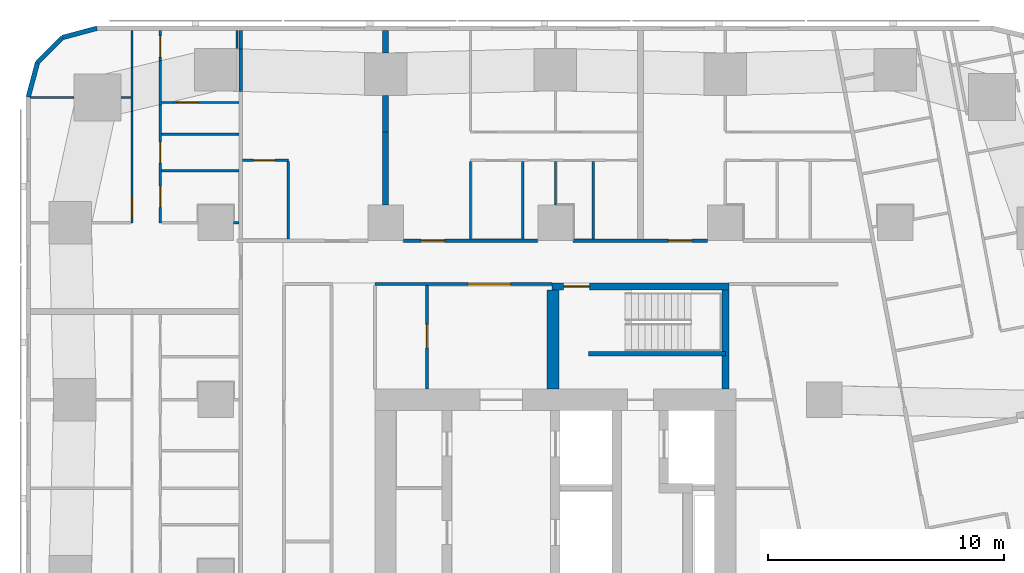
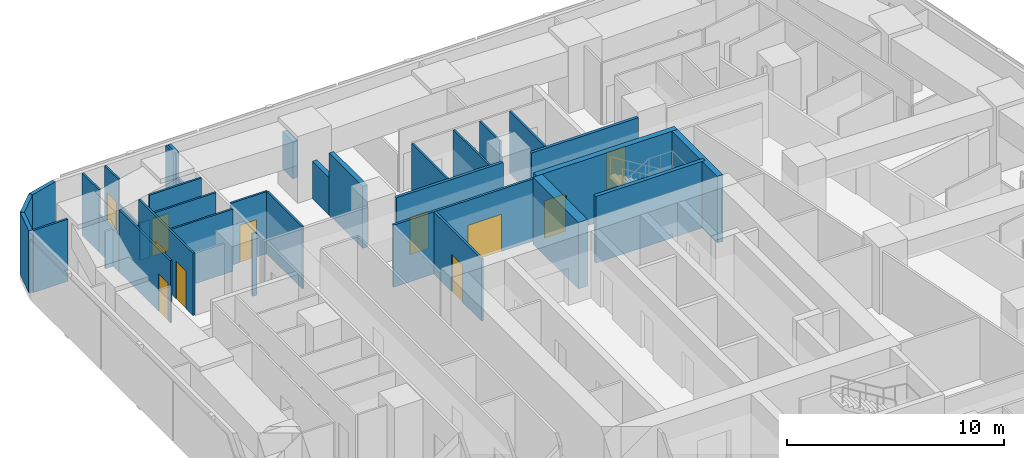
# One storey, part 9 of 15: 36 walls, 11 doors, 11 openings.
"""IFC4 building model written with IfcOpenShell, lengths in metres."""

from ifc_helpers import new_model, si_unit, direction, frame, frame_2d, origin, place, context, subcontext, project, spatial, rectangle, extrude, material, layer, layer_set, type_object, element, fill, save


model = new_model("IFC4")

# Units and contexts
model_context = context("Model", 3, precision=1e-05, world=origin(), true_north=direction((0.0, 1.0)))
body_context = subcontext(model_context, "Body", "Model", "MODEL_VIEW")
ifc_project = project(units=[si_unit("LENGTHUNIT", "METRE"), si_unit("AREAUNIT", "SQUARE_METRE"), si_unit("VOLUMEUNIT", "CUBIC_METRE"), si_unit("PLANEANGLEUNIT", "RADIAN"), si_unit("MASSUNIT", "GRAM", prefix="KILO")], contexts=[model_context])

# Site, building, storey
site_placement = place(None, origin())
site = spatial("IfcSite", under=ifc_project, at=site_placement, CompositionType="ELEMENT")
building_placement = place(site_placement, origin())
building = spatial("IfcBuilding", under=site, at=building_placement, Name="Sheger Commons Tower", CompositionType="ELEMENT")
storey_placement = place(building_placement, frame((0.0, 0.0, 147.050048828125)))
storey = spatial("IfcBuildingStorey", under=building, at=storey_placement, Name="L37", CompositionType="ELEMENT", Elevation=147.050048828125)

# Walls
ifc_material_1 = material(Name="Hollow concrete block masonry, skimmed both sides", Category="masonry")
ifc_layer_1 = layer(ifc_material_1, 0.14990234375)
ifc_layer_set_1 = layer_set([ifc_layer_1], Name="CORRIDOR WALL 150")
wall_type_1 = type_object("IfcWallType", Name="CORRIDOR WALL 150", PredefinedType="SOLIDWALL", material=ifc_layer_set_1)
wall_1_placement = place(storey_placement, frame((8.25, 43.068115234375, 0.0), z_axis=(0.0, 0.0, 1.0), x_axis=(0.0, 1.0, 0.0)))
element("IfcWall", 1, at=wall_1_placement, inside=storey, type_object=wall_type_1, Name="Corridor wall L37", PredefinedType="SOLIDWALL", context=body_context, shape_type="SweptSolid", body=[
    extrude(rectangle(XDim=1.804931640625, YDim=0.14990234375, at=frame_2d((0.90234375, 0.0))), origin(), (0.0, 0.0, 1.0), 2.099853515625),
])
wall_2_placement = place(storey_placement, frame((8.25, 44.873046875, 0.0), z_axis=(0.0, 0.0, 1.0), x_axis=(0.0, 1.0, 0.0)))
element("IfcWall", 2, at=wall_2_placement, inside=storey, type_object=wall_type_1, Name="Corridor wall L37", PredefinedType="SOLIDWALL", context=body_context, shape_type="SweptSolid", body=[
    extrude(rectangle(XDim=0.77685546875, YDim=0.14990234375, at=frame_2d((0.388427734375, 0.0))), origin(), (0.0, 0.0, 1.0), 3.5),
])

# Wall, opening, door
wall_3_placement = place(storey_placement, frame((15.15087890625, 36.75, 0.0), z_axis=(0.0, 0.0, 1.0), x_axis=(1.0, 0.0, 0.0)))
wall_3 = element("IfcWall", 3, at=wall_3_placement, inside=storey, type_object=wall_type_1, Name="Corridor wall L37", PredefinedType="SOLIDWALL", context=body_context, shape_type="SweptSolid", body=[
    extrude(rectangle(XDim=5.6982421875, YDim=0.14990234375, at=frame_2d((2.84912109375, 0.0))), origin(), (0.0, 0.0, 1.0), 3.5),
])
opening_1_placement = place(wall_3_placement, frame((0.7490234375, 0.0, 0.0)))
opening_1 = element("IfcOpeningElement", 4, at=opening_1_placement, cuts=wall_3, Name="Opening D1", PredefinedType="OPENING", context=body_context, shape_type="SweptSolid", body=[
    extrude(rectangle(XDim=1.0, YDim=2.10009765625, at=frame_2d((0.5, 1.050048828125))), frame((0.0, 0.0849609375, 0.0), z_axis=(0.0, -1.0, 0.0), x_axis=(1.0, 0.0, 0.0)), (0.0, 0.0, 1.0), 0.169921875),
])
ifc_material_2 = material(Name="Steel door set, fire rated", Category="steel")
door_type_1 = type_object("IfcDoorType", Name="FLAT ENTRANCE DOOR 1000x2100", OperationType="NOTDEFINED", PredefinedType="DOOR", material=ifc_material_2)
door_1_placement = place(opening_1_placement, origin())
door_1 = element("IfcDoor", 5, at=door_1_placement, inside=storey, type_object=door_type_1, Name="Flat entrance door", OperationType="SINGLE_SWING_LEFT", OverallHeight=2.10009765625, OverallWidth=1.0, PredefinedType="DOOR", context=body_context, shape_type="SweptSolid", body=[
    extrude(rectangle(XDim=1.0, YDim=2.10009765625, at=frame_2d((0.5, 1.050048828125))), frame((0.0, 0.02490234375, 0.0), z_axis=(0.0, -1.0, 0.0), x_axis=(1.0, 0.0, 0.0)), (0.0, 0.0, 1.0), 0.050048828125),
])
fill(opening_1, door_1)

wall_4_placement = place(storey_placement, frame((22.35107421875, 36.75, 0.0), z_axis=(0.0, 0.0, 1.0), x_axis=(1.0, 0.0, 0.0)))
wall_4 = element("IfcWall", 6, at=wall_4_placement, inside=storey, type_object=wall_type_1, Name="Corridor wall L37", PredefinedType="SOLIDWALL", context=body_context, shape_type="SweptSolid", body=[
    extrude(rectangle(XDim=5.697998046875, YDim=0.14990234375, at=frame_2d((2.84912109375, 0.0))), origin(), (0.0, 0.0, 1.0), 3.5),
])
opening_2_placement = place(wall_4_placement, frame((4.031982421875, 0.0, 0.0)))
opening_2 = element("IfcOpeningElement", 7, at=opening_2_placement, cuts=wall_4, Name="Opening D1", PredefinedType="OPENING", context=body_context, shape_type="SweptSolid", body=[
    extrude(rectangle(XDim=1.0, YDim=2.10009765625, at=frame_2d((0.5, 1.050048828125))), frame((0.0, 0.0849609375, 0.0), z_axis=(0.0, -1.0, 0.0), x_axis=(1.0, 0.0, 0.0)), (0.0, 0.0, 1.0), 0.169921875),
])
door_2_placement = place(opening_2_placement, origin())
door_2 = element("IfcDoor", 8, at=door_2_placement, inside=storey, type_object=door_type_1, Name="Flat entrance door", OperationType="SINGLE_SWING_RIGHT", OverallHeight=2.10009765625, OverallWidth=1.0, PredefinedType="DOOR", context=body_context, shape_type="SweptSolid", body=[
    extrude(rectangle(XDim=1.0, YDim=2.10009765625, at=frame_2d((0.5, 1.050048828125))), frame((0.0, 0.02490234375, 0.0), z_axis=(0.0, -1.0, 0.0), x_axis=(1.0, 0.0, 0.0)), (0.0, 0.0, 1.0), 0.050048828125),
])
fill(opening_2, door_2)

# Walls
ifc_material_3 = material(Name="Dense concrete block masonry, plastered both sides (separating wall between flats)", Category="masonry")
ifc_layer_2 = layer(ifc_material_3, 0.25)
ifc_layer_set_2 = layer_set([ifc_layer_2], Name="DEMISING WALL 250")
wall_type_2 = type_object("IfcWallType", Name="DEMISING WALL 250", PredefinedType="SOLIDWALL", material=ifc_layer_set_2)
wall_5_placement = place(storey_placement, frame((14.39990234375, 41.35009765625, 0.0), z_axis=(0.0, 0.0, 1.0), x_axis=(0.0, 1.0, 0.0)))
element("IfcWall", 9, at=wall_5_placement, inside=storey, type_object=wall_type_2, Name="Demising wall L37", PredefinedType="SOLIDWALL", context=body_context, shape_type="SweptSolid", body=[
    extrude(rectangle(XDim=1.548828125, YDim=0.25, at=frame_2d((0.7744140625, 0.0))), origin(), (0.0, 0.0, 1.0), 2.099853515625),
])
wall_6_placement = place(storey_placement, frame((14.39990234375, 44.700927734375, 0.0), z_axis=(0.0, 0.0, 1.0), x_axis=(0.0, 1.0, 0.0)))
element("IfcWall", 10, at=wall_6_placement, inside=storey, type_object=wall_type_2, Name="Demising wall L37", PredefinedType="SOLIDWALL", context=body_context, shape_type="SweptSolid", body=[
    extrude(rectangle(XDim=0.948974609375, YDim=0.25, at=frame_2d((0.474609375, 0.0))), origin(), (0.0, 0.0, 1.0), 2.099853515625),
])
wall_7_placement = place(storey_placement, frame((14.39990234375, 38.2509765625, 0.0), z_axis=(0.0, 0.0, 1.0), x_axis=(0.0, 1.0, 0.0)))
element("IfcWall", 11, at=wall_7_placement, inside=storey, type_object=wall_type_2, Name="Demising wall L37", PredefinedType="SOLIDWALL", context=body_context, shape_type="SweptSolid", body=[
    extrude(rectangle(XDim=3.09912109375, YDim=0.25, at=frame_2d((1.549560546875, 0.0))), origin(), (0.0, 0.0, 1.0), 3.5),
])
ifc_material_4 = material(Name="Rendered concrete block masonry, dark grey", Category="masonry")
ifc_layer_3 = layer(ifc_material_4, 0.199951171875)
ifc_layer_set_3 = layer_set([ifc_layer_3], Name="FACADE WALL 200")
wall_type_3 = type_object("IfcWallType", Name="FACADE WALL 200", PredefinedType="SOLIDWALL", material=ifc_layer_set_3)
wall_8_placement = place(storey_placement, frame((2.1630859375, 45.75, 0.0), z_axis=(0.0, 0.0, 1.0), x_axis=(-0.965832000415, -0.259168954497, 0.0)))
element("IfcWall", 12, at=wall_8_placement, inside=storey, type_object=wall_type_3, Name="Facade wall L37", PredefinedType="SOLIDWALL", context=body_context, shape_type="SweptSolid", body=[
    extrude(rectangle(XDim=1.512939453125, YDim=0.199951171875, at=frame_2d((0.75634765625, 0.0))), origin(), (0.0, 0.0, 1.0), 3.5),
])
wall_9_placement = place(storey_placement, frame((0.701904296875, 45.35791015625, 0.0), z_axis=(0.0, 0.0, 1.0), x_axis=(-0.707106781187, -0.707106781187, 0.0)))
element("IfcWall", 13, at=wall_9_placement, inside=storey, type_object=wall_type_3, Name="Facade wall L37", PredefinedType="SOLIDWALL", context=body_context, shape_type="SweptSolid", body=[
    extrude(rectangle(XDim=1.498779296875, YDim=0.199951171875, at=frame_2d((0.74951171875, 0.0))), origin(), (0.0, 0.0, 1.0), 3.5),
])
wall_10_placement = place(storey_placement, frame((-0.35791015625, 44.298095703125, 0.0), z_axis=(0.0, 0.0, 1.0), x_axis=(-0.259168954497, -0.965832000415, 0.0)))
element("IfcWall", 14, at=wall_10_placement, inside=storey, type_object=wall_type_3, Name="Facade wall L37", PredefinedType="SOLIDWALL", context=body_context, shape_type="SweptSolid", body=[
    extrude(rectangle(XDim=1.512939453125, YDim=0.199951171875, at=frame_2d((0.75634765625, 0.0))), origin(), (0.0, 0.0, 1.0), 3.5),
])
ifc_material_5 = material(Name="Gypsum board on steel studs", Category="steel")
ifc_layer_4 = layer(ifc_material_5, 0.10009765625)
ifc_layer_set_4 = layer_set([ifc_layer_4], Name="PARTITION 100")
wall_type_4 = type_object("IfcWallType", Name="PARTITION 100", PredefinedType="PARTITIONING", material=ifc_layer_set_4)
wall_11_placement = place(storey_placement, frame((8.10009765625, 45.64990234375, 0.0), z_axis=(0.0, 0.0, 1.0), x_axis=(0.0, -1.0, 0.0)))
element("IfcWall", 15, at=wall_11_placement, inside=storey, type_object=wall_type_4, Name="Partition L37", PredefinedType="PARTITIONING", context=body_context, shape_type="SweptSolid", body=[
    extrude(rectangle(XDim=0.7490234375, YDim=0.10009765625, at=frame_2d((0.37451171875, 0.0))), origin(), (0.0, 0.0, 1.0), 3.5),
])

# Wall, opening, door
wall_12_placement = place(storey_placement, frame((3.64990234375, 37.5, 0.0), z_axis=(0.0, 0.0, 1.0), x_axis=(0.0, 1.0, 0.0)))
wall_12 = element("IfcWall", 16, at=wall_12_placement, inside=storey, type_object=wall_type_4, Name="Partition L37", PredefinedType="PARTITIONING", context=body_context, shape_type="SweptSolid", body=[
    extrude(rectangle(XDim=4.72412109375, YDim=0.10009765625, at=frame_2d((2.362060546875, 0.0))), origin(), (0.0, 0.0, 1.0), 3.5),
])
opening_3_placement = place(wall_12_placement, frame((0.199951171875, 0.0, 0.0)))
opening_3 = element("IfcOpeningElement", 17, at=opening_3_placement, cuts=wall_12, Name="Opening D2", PredefinedType="OPENING", context=body_context, shape_type="SweptSolid", body=[
    extrude(rectangle(XDim=0.89990234375, YDim=2.10009765625, at=frame_2d((0.449951171875, 1.050048828125))), frame((0.0, 0.06005859375, 0.0), z_axis=(0.0, -1.0, 0.0), x_axis=(1.0, 0.0, 0.0)), (0.0, 0.0, 1.0), 0.1201171875),
])
ifc_material_6 = material(Name="Timber door set", Category="wood")
door_type_2 = type_object("IfcDoorType", Name="INTERNAL DOOR 900x2100", OperationType="NOTDEFINED", PredefinedType="DOOR", material=ifc_material_6)
door_3_placement = place(opening_3_placement, origin())
door_3 = element("IfcDoor", 18, at=door_3_placement, inside=storey, type_object=door_type_2, Name="Main bedroom door", OperationType="SINGLE_SWING_LEFT", OverallHeight=2.10009765625, OverallWidth=0.89990234375, PredefinedType="DOOR", context=body_context, shape_type="SweptSolid", body=[
    extrude(rectangle(XDim=0.89990234375, YDim=2.10009765625, at=frame_2d((0.449951171875, 1.050048828125))), frame((0.0, 0.02490234375, 0.0), z_axis=(0.0, -1.0, 0.0), x_axis=(1.0, 0.0, 0.0)), (0.0, 0.0, 1.0), 0.050048828125),
])
fill(opening_3, door_3)

# Walls
wall_13_placement = place(storey_placement, frame((3.64990234375, 42.22412109375, 0.0), z_axis=(0.0, 0.0, 1.0), x_axis=(0.0, 1.0, 0.0)))
element("IfcWall", 19, at=wall_13_placement, inside=storey, type_object=wall_type_4, Name="Partition L37", PredefinedType="PARTITIONING", context=body_context, shape_type="SweptSolid", body=[
    extrude(rectangle(XDim=1.872802734375, YDim=0.10009765625, at=frame_2d((0.9365234375, 0.0))), origin(), (0.0, 0.0, 1.0), 2.099853515625),
])
wall_14_placement = place(storey_placement, frame((3.64990234375, 44.096923828125, 0.0), z_axis=(0.0, 0.0, 1.0), x_axis=(0.0, 1.0, 0.0)))
element("IfcWall", 20, at=wall_14_placement, inside=storey, type_object=wall_type_4, Name="Partition L37", PredefinedType="PARTITIONING", context=body_context, shape_type="SweptSolid", body=[
    extrude(rectangle(XDim=1.552978515625, YDim=0.10009765625, at=frame_2d((0.7763671875, 0.0))), origin(), (0.0, 0.0, 1.0), 3.5),
])

# Wall, openings, doors
wall_15_placement = place(storey_placement, frame((4.85009765625, 37.5, 0.0), z_axis=(0.0, 0.0, 1.0), x_axis=(0.0, 1.0, 0.0)))
wall_15 = element("IfcWall", 21, at=wall_15_placement, inside=storey, type_object=wall_type_4, Name="Partition L37", PredefinedType="PARTITIONING", context=body_context, shape_type="SweptSolid", body=[
    extrude(rectangle(XDim=5.007080078125, YDim=0.10009765625, at=frame_2d((2.50341796875, 0.0))), origin(), (0.0, 0.0, 1.0), 3.5),
])
opening_4_placement = place(wall_15_placement, frame((0.655029296875, 0.0, 0.0)))
opening_4 = element("IfcOpeningElement", 22, at=opening_4_placement, cuts=wall_15, Name="Opening D2", PredefinedType="OPENING", context=body_context, shape_type="SweptSolid", body=[
    extrude(rectangle(XDim=0.89990234375, YDim=2.10009765625, at=frame_2d((0.449951171875, 1.050048828125))), frame((0.0, 0.06005859375, 0.0), z_axis=(0.0, -1.0, 0.0), x_axis=(1.0, 0.0, 0.0)), (0.0, 0.0, 1.0), 0.1201171875),
])
opening_5_placement = place(wall_15_placement, frame((2.530029296875, 0.0, 0.0)))
opening_5 = element("IfcOpeningElement", 23, at=opening_5_placement, cuts=wall_15, Name="Opening D2", PredefinedType="OPENING", context=body_context, shape_type="SweptSolid", body=[
    extrude(rectangle(XDim=0.89990234375, YDim=2.10009765625, at=frame_2d((0.449951171875, 1.050048828125))), frame((0.0, 0.06005859375, 0.0), z_axis=(0.0, -1.0, 0.0), x_axis=(1.0, 0.0, 0.0)), (0.0, 0.0, 1.0), 0.1201171875),
])
door_4_placement = place(opening_4_placement, origin())
door_4 = element("IfcDoor", 24, at=door_4_placement, inside=storey, type_object=door_type_2, Name="Bathroom door", OperationType="SINGLE_SWING_RIGHT", OverallHeight=2.10009765625, OverallWidth=0.89990234375, PredefinedType="DOOR", context=body_context, shape_type="SweptSolid", body=[
    extrude(rectangle(XDim=0.89990234375, YDim=2.10009765625, at=frame_2d((0.449951171875, 1.050048828125))), frame((0.0, 0.02490234375, 0.0), z_axis=(0.0, -1.0, 0.0), x_axis=(1.0, 0.0, 0.0)), (0.0, 0.0, 1.0), 0.050048828125),
])
fill(opening_4, door_4)
door_5_placement = place(opening_5_placement, origin())
door_5 = element("IfcDoor", 25, at=door_5_placement, inside=storey, type_object=door_type_2, Name="Store door", OperationType="SINGLE_SWING_LEFT", OverallHeight=2.10009765625, OverallWidth=0.89990234375, PredefinedType="DOOR", context=body_context, shape_type="SweptSolid", body=[
    extrude(rectangle(XDim=0.89990234375, YDim=2.10009765625, at=frame_2d((0.449951171875, 1.050048828125))), frame((0.0, 0.02490234375, 0.0), z_axis=(0.0, -1.0, 0.0), x_axis=(1.0, 0.0, 0.0)), (0.0, 0.0, 1.0), 0.050048828125),
])
fill(opening_5, door_5)

# Wall
wall_16_placement = place(storey_placement, frame((4.85009765625, 42.507080078125, 0.0), z_axis=(0.0, 0.0, 1.0), x_axis=(0.0, 1.0, 0.0)))
element("IfcWall", 26, at=wall_16_placement, inside=storey, type_object=wall_type_4, Name="Partition L37", PredefinedType="PARTITIONING", context=body_context, shape_type="SweptSolid", body=[
    extrude(rectangle(XDim=1.8740234375, YDim=0.10009765625, at=frame_2d((0.93701171875, 0.0))), origin(), (0.0, 0.0, 1.0), 2.099853515625),
])

# Wall, opening, door
wall_17_placement = place(storey_placement, frame((4.85009765625, 44.381103515625, 0.0), z_axis=(0.0, 0.0, 1.0), x_axis=(0.0, 1.0, 0.0)))
wall_17 = element("IfcWall", 27, at=wall_17_placement, inside=storey, type_object=wall_type_4, Name="Partition L37", PredefinedType="PARTITIONING", context=body_context, shape_type="SweptSolid", body=[
    extrude(rectangle(XDim=1.268798828125, YDim=0.10009765625, at=frame_2d((0.63427734375, 0.0))), origin(), (0.0, 0.0, 1.0), 3.5),
])
opening_6_placement = place(wall_17_placement, frame((0.14990234375, 0.0, 0.0)))
opening_6 = element("IfcOpeningElement", 28, at=opening_6_placement, cuts=wall_17, Name="Opening D2", PredefinedType="OPENING", context=body_context, shape_type="SweptSolid", body=[
    extrude(rectangle(XDim=0.89990234375, YDim=2.10009765625, at=frame_2d((0.449951171875, 1.050048828125))), frame((0.0, 0.06005859375, 0.0), z_axis=(0.0, -1.0, 0.0), x_axis=(1.0, 0.0, 0.0)), (0.0, 0.0, 1.0), 0.1201171875),
])
door_6_placement = place(opening_6_placement, origin())
door_6 = element("IfcDoor", 29, at=door_6_placement, inside=storey, type_object=door_type_2, Name="Store and laundry door", OperationType="SINGLE_SWING_RIGHT", OverallHeight=2.10009765625, OverallWidth=0.89990234375, PredefinedType="DOOR", context=body_context, shape_type="SweptSolid", body=[
    extrude(rectangle(XDim=0.89990234375, YDim=2.10009765625, at=frame_2d((0.449951171875, 1.050048828125))), frame((0.0, 0.02490234375, 0.0), z_axis=(0.0, -1.0, 0.0), x_axis=(1.0, 0.0, 0.0)), (0.0, 0.0, 1.0), 0.050048828125),
])
fill(opening_6, door_6)

# Walls
wall_18_placement = place(storey_placement, frame((-0.64990234375, 42.81396484375, 0.0), z_axis=(0.0, 0.0, 1.0), x_axis=(1.0, 0.0, 0.0)))
element("IfcWall", 30, at=wall_18_placement, inside=storey, type_object=wall_type_4, Name="Partition L37", PredefinedType="PARTITIONING", context=body_context, shape_type="SweptSolid", body=[
    extrude(rectangle(XDim=1.8349609375, YDim=0.10009765625, at=frame_2d((0.91748046875, 0.0))), origin(), (0.0, 0.0, 1.0), 3.5),
])
wall_19_placement = place(storey_placement, frame((3.18701171875, 42.81396484375, 0.0), z_axis=(0.0, 0.0, 1.0), x_axis=(1.0, 0.0, 0.0)))
element("IfcWall", 31, at=wall_19_placement, inside=storey, type_object=wall_type_4, Name="Partition L37", PredefinedType="PARTITIONING", context=body_context, shape_type="SweptSolid", body=[
    extrude(rectangle(XDim=0.4130859375, YDim=0.10009765625, at=frame_2d((0.20654296875, 0.0))), origin(), (0.0, 0.0, 1.0), 2.099853515625),
])
wall_20_placement = place(storey_placement, frame((7.950927734375, 37.5, 0.0), z_axis=(0.0, 0.0, 1.0), x_axis=(1.0, 0.0, 0.0)))
element("IfcWall", 32, at=wall_20_placement, inside=storey, type_object=wall_type_4, Name="Partition L37", PredefinedType="PARTITIONING", context=body_context, shape_type="SweptSolid", body=[
    extrude(rectangle(XDim=0.22412109375, YDim=0.10009765625, at=frame_2d((0.112060546875, 0.0))), origin(), (0.0, 0.0, 1.0), 3.5),
])
for number, where, z_axis, x_axis, name in (
    (33, (4.89990234375, 41.25, 0.0), (0.0, 0.0, 1.0), (1.0, 0.0, 0.0), "Partition L37"),
    (34, (4.89990234375, 39.7099609375, 0.0), (0.0, 0.0, 1.0), (1.0, 0.0, 0.0), "Partition L37"),
):
    element("IfcWall", number, at=place(storey_placement, frame(where, z_axis=z_axis, x_axis=x_axis)), inside=storey, type_object=wall_type_4, Name=name, PredefinedType="PARTITIONING", context=body_context, shape_type="SweptSolid", body=[
        extrude(rectangle(XDim=3.275146484375, YDim=0.10009765625, at=frame_2d((1.6376953125, 0.0))), origin(), (0.0, 0.0, 1.0), 3.5),
    ])

# Wall, opening, door
wall_21_placement = place(storey_placement, frame((8.324951171875, 40.14990234375, 0.0), z_axis=(0.0, 0.0, 1.0), x_axis=(1.0, 0.0, 0.0)))
wall_21 = element("IfcWall", 35, at=wall_21_placement, inside=storey, type_object=wall_type_4, Name="Partition L37", PredefinedType="PARTITIONING", context=body_context, shape_type="SweptSolid", body=[
    extrude(rectangle(XDim=1.9541015625, YDim=0.10009765625, at=frame_2d((0.97705078125, 0.0))), origin(), (0.0, 0.0, 1.0), 3.5),
])
opening_7_placement = place(wall_21_placement, frame((0.47509765625, 0.0, 0.0)))
opening_7 = element("IfcOpeningElement", 36, at=opening_7_placement, cuts=wall_21, Name="Opening D2", PredefinedType="OPENING", context=body_context, shape_type="SweptSolid", body=[
    extrude(rectangle(XDim=0.89990234375, YDim=2.10009765625, at=frame_2d((0.449951171875, 1.050048828125))), frame((0.0, 0.06005859375, 0.0), z_axis=(0.0, -1.0, 0.0), x_axis=(1.0, 0.0, 0.0)), (0.0, 0.0, 1.0), 0.1201171875),
])
door_7_placement = place(opening_7_placement, origin())
door_7 = element("IfcDoor", 37, at=door_7_placement, inside=storey, type_object=door_type_2, Name="Shower room door", OperationType="SINGLE_SWING_RIGHT", OverallHeight=2.10009765625, OverallWidth=0.89990234375, PredefinedType="DOOR", context=body_context, shape_type="SweptSolid", body=[
    extrude(rectangle(XDim=0.89990234375, YDim=2.10009765625, at=frame_2d((0.449951171875, 1.050048828125))), frame((0.0, 0.02490234375, 0.0), z_axis=(0.0, -1.0, 0.0), x_axis=(1.0, 0.0, 0.0)), (0.0, 0.0, 1.0), 0.050048828125),
])
fill(opening_7, door_7)

# Walls
for number, where, z_axis, x_axis, name in (
    (38, (10.279052734375, 36.824951171875, 0.0), (0.0, 0.0, 1.0), (0.0, 1.0, 0.0), "Partition L37"),
    (39, (18.0, 36.824951171875, 0.0), (0.0, 0.0, 1.0), (0.0, 1.0, 0.0), "Partition L37"),
):
    element("IfcWall", number, at=place(storey_placement, frame(where, z_axis=z_axis, x_axis=x_axis)), inside=storey, type_object=wall_type_4, Name=name, PredefinedType="PARTITIONING", context=body_context, shape_type="SweptSolid", body=[
        extrude(rectangle(XDim=3.275146484375, YDim=0.10009765625, at=frame_2d((1.6376953125, 0.0))), origin(), (0.0, 0.0, 1.0), 3.5),
    ])
wall_22_placement = place(storey_placement, frame((21.60009765625, 38.2509765625, 0.0), z_axis=(0.0, 0.0, 1.0), x_axis=(0.0, 1.0, 0.0)))
element("IfcWall", 40, at=wall_22_placement, inside=storey, type_object=wall_type_4, Name="Partition L37", PredefinedType="PARTITIONING", context=body_context, shape_type="SweptSolid", body=[
    extrude(rectangle(XDim=1.84912109375, YDim=0.10009765625, at=frame_2d((0.924560546875, 0.0))), origin(), (0.0, 0.0, 1.0), 3.5),
])
for number, where, z_axis, x_axis, name in (
    (41, (20.2099609375, 36.824951171875, 0.0), (0.0, 0.0, 1.0), (0.0, 1.0, 0.0), "Partition L37"),
    (42, (23.199951171875, 36.824951171875, 0.0), (0.0, 0.0, 1.0), (0.0, 1.0, 0.0), "Partition L37"),
):
    element("IfcWall", number, at=place(storey_placement, frame(where, z_axis=z_axis, x_axis=x_axis)), inside=storey, type_object=wall_type_4, Name=name, PredefinedType="PARTITIONING", context=body_context, shape_type="SweptSolid", body=[
        extrude(rectangle(XDim=3.275146484375, YDim=0.10009765625, at=frame_2d((1.6376953125, 0.0))), origin(), (0.0, 0.0, 1.0), 3.5),
    ])
wall_23_placement = place(storey_placement, frame((4.89990234375, 42.60009765625, 0.0), z_axis=(0.0, 0.0, 1.0), x_axis=(1.0, 0.0, 0.0)))
element("IfcWall", 43, at=wall_23_placement, inside=storey, type_object=wall_type_4, Name="Partition L37", PredefinedType="PARTITIONING", context=body_context, shape_type="SweptSolid", body=[
    extrude(rectangle(XDim=0.503173828125, YDim=0.10009765625, at=frame_2d((0.25146484375, 0.0))), origin(), (0.0, 0.0, 1.0), 2.099853515625),
])

# Wall, opening, door
wall_24_placement = place(storey_placement, frame((5.403076171875, 42.60009765625, 0.0), z_axis=(0.0, 0.0, 1.0), x_axis=(1.0, 0.0, 0.0)))
wall_24 = element("IfcWall", 44, at=wall_24_placement, inside=storey, type_object=wall_type_4, Name="Partition L37", PredefinedType="PARTITIONING", context=body_context, shape_type="SweptSolid", body=[
    extrude(rectangle(XDim=2.77197265625, YDim=0.10009765625, at=frame_2d((1.385986328125, 0.0))), origin(), (0.0, 0.0, 1.0), 3.5),
])
opening_8_placement = place(wall_24_placement, frame((0.14990234375, 0.0, 0.0)))
opening_8 = element("IfcOpeningElement", 45, at=opening_8_placement, cuts=wall_24, Name="Opening D2", PredefinedType="OPENING", context=body_context, shape_type="SweptSolid", body=[
    extrude(rectangle(XDim=0.89990234375, YDim=2.10009765625, at=frame_2d((0.449951171875, 1.050048828125))), frame((0.0, 0.06005859375, 0.0), z_axis=(0.0, -1.0, 0.0), x_axis=(1.0, 0.0, 0.0)), (0.0, 0.0, 1.0), 0.1201171875),
])
door_8_placement = place(opening_8_placement, origin())
door_8 = element("IfcDoor", 46, at=door_8_placement, inside=storey, type_object=door_type_2, Name="Store door", OperationType="SINGLE_SWING_LEFT", OverallHeight=2.10009765625, OverallWidth=0.89990234375, PredefinedType="DOOR", context=body_context, shape_type="SweptSolid", body=[
    extrude(rectangle(XDim=0.89990234375, YDim=2.10009765625, at=frame_2d((0.449951171875, 1.050048828125))), frame((0.0, 0.02490234375, 0.0), z_axis=(0.0, -1.0, 0.0), x_axis=(1.0, 0.0, 0.0)), (0.0, 0.0, 1.0), 0.050048828125),
])
fill(opening_8, door_8)

ifc_material_7 = material(Name="Gypsum board on steel studs, two layers each side, fire rated", Category="steel")
ifc_layer_5 = layer(ifc_material_7, 0.125)
ifc_layer_set_5 = layer_set([ifc_layer_5], Name="SERVICE WALL 125")
wall_type_5 = type_object("IfcWallType", Name="SERVICE WALL 125", PredefinedType="PARTITIONING", material=ifc_layer_set_5)
wall_25_placement = place(storey_placement, frame((13.949951171875, 34.89990234375, 0.0), z_axis=(0.0, 0.0, 1.0), x_axis=(1.0, 0.0, 0.0)))
wall_25 = element("IfcWall", 47, at=wall_25_placement, inside=storey, type_object=wall_type_5, Name="Service room wall L37", PredefinedType="PARTITIONING", context=body_context, shape_type="SweptSolid", body=[
    extrude(rectangle(XDim=7.5, YDim=0.125, at=frame_2d((3.75, 0.0))), origin(), (0.0, 0.0, 1.0), 3.5),
])
opening_9_placement = place(wall_25_placement, frame((3.949951171875, 0.0, 0.0)))
opening_9 = element("IfcOpeningElement", 48, at=opening_9_placement, cuts=wall_25, Name="Opening D6", PredefinedType="OPENING", context=body_context, shape_type="SweptSolid", body=[
    extrude(rectangle(XDim=1.800048828125, YDim=2.10009765625, at=frame_2d((0.89990234375, 1.050048828125))), frame((0.0, 0.072509765625, 0.0), z_axis=(0.0, -1.0, 0.0), x_axis=(1.0, 0.0, 0.0)), (0.0, 0.0, 1.0), 0.14501953125),
])
ifc_material_8 = material(Name="Steel door set, fire rated", Category="steel")
door_type_3 = type_object("IfcDoorType", Name="LOBBY DOUBLE DOOR 1800x2100", OperationType="DOUBLE_DOOR_SINGLE_SWING", PredefinedType="DOOR", material=ifc_material_8)
door_9_placement = place(opening_9_placement, origin())
door_9 = element("IfcDoor", 49, at=door_9_placement, inside=storey, type_object=door_type_3, Name="Lift lobby north door", OperationType="DOUBLE_DOOR_SINGLE_SWING", OverallHeight=2.10009765625, OverallWidth=1.800048828125, PredefinedType="DOOR", context=body_context, shape_type="SweptSolid", body=[
    extrude(rectangle(XDim=1.800048828125, YDim=2.10009765625, at=frame_2d((0.89990234375, 1.050048828125))), frame((0.0, 0.02490234375, 0.0), z_axis=(0.0, -1.0, 0.0), x_axis=(1.0, 0.0, 0.0)), (0.0, 0.0, 1.0), 0.050048828125),
])
fill(opening_9, door_9)

wall_26_placement = place(storey_placement, frame((16.14990234375, 30.449951171875, 0.0), z_axis=(0.0, 0.0, 1.0), x_axis=(0.0, 1.0, 0.0)))
wall_26 = element("IfcWall", 50, at=wall_26_placement, inside=storey, type_object=wall_type_5, Name="Service room wall L37", PredefinedType="PARTITIONING", context=body_context, shape_type="SweptSolid", body=[
    extrude(rectangle(XDim=4.386962890625, YDim=0.125, at=frame_2d((2.193359375, 0.0))), origin(), (0.0, 0.0, 1.0), 3.5),
])
opening_10_placement = place(wall_26_placement, frame((1.75, 0.0, 0.0)))
opening_10 = element("IfcOpeningElement", 51, at=opening_10_placement, cuts=wall_26, Name="Opening D4", PredefinedType="OPENING", context=body_context, shape_type="SweptSolid", body=[
    extrude(rectangle(XDim=1.0, YDim=2.10009765625, at=frame_2d((0.5, 1.050048828125))), frame((0.0, 0.072509765625, 0.0), z_axis=(0.0, -1.0, 0.0), x_axis=(1.0, 0.0, 0.0)), (0.0, 0.0, 1.0), 0.14501953125),
])
ifc_material_9 = material(Name="Steel door set, fire rated", Category="steel")
door_type_4 = type_object("IfcDoorType", Name="SERVICE DOOR 1000x2100", OperationType="NOTDEFINED", PredefinedType="DOOR", material=ifc_material_9)
door_10_placement = place(opening_10_placement, origin())
door_10 = element("IfcDoor", 52, at=door_10_placement, inside=storey, type_object=door_type_4, Name="Telecom room door", OperationType="SINGLE_SWING_RIGHT", OverallHeight=2.10009765625, OverallWidth=1.0, PredefinedType="DOOR", context=body_context, shape_type="SweptSolid", body=[
    extrude(rectangle(XDim=1.0, YDim=2.10009765625, at=frame_2d((0.5, 1.050048828125))), frame((0.0, 0.02490234375, 0.0), z_axis=(0.0, -1.0, 0.0), x_axis=(1.0, 0.0, 0.0)), (0.0, 0.0, 1.0), 0.050048828125),
])
fill(opening_10, door_10)

ifc_material_10 = material(Name="Concrete C50/60", Category="concrete")
ifc_layer_6 = layer(ifc_material_10, 0.300048828125)
ifc_layer_set_6 = layer_set([ifc_layer_6], Name="STAIR CORE WALL 300")
wall_type_6 = type_object("IfcWallType", Name="STAIR CORE WALL 300", PredefinedType="SHEAR", material=ifc_layer_set_6)
wall_27_placement = place(storey_placement, frame((21.449951171875, 34.800048828125, 0.0), z_axis=(0.0, 0.0, 1.0), x_axis=(1.0, 0.0, 0.0)))
wall_27 = element("IfcWall", 53, at=wall_27_placement, inside=storey, type_object=wall_type_6, Name="STW-L37-S2N", PredefinedType="SHEAR", context=body_context, shape_type="SweptSolid", body=[
    extrude(rectangle(XDim=7.5, YDim=0.300048828125, at=frame_2d((3.75, 0.0))), origin(), (0.0, 0.0, 1.0), 3.75),
])
opening_11_placement = place(wall_27_placement, frame((0.5, 0.0, 0.0)))
opening_11 = element("IfcOpeningElement", 54, at=opening_11_placement, cuts=wall_27, Name="Opening D5", PredefinedType="OPENING", context=body_context, shape_type="SweptSolid", body=[
    extrude(rectangle(XDim=1.10009765625, YDim=2.10009765625, at=frame_2d((0.550048828125, 1.050048828125))), frame((0.0, 0.159912109375, 0.0), z_axis=(0.0, -1.0, 0.0), x_axis=(1.0, 0.0, 0.0)), (0.0, 0.0, 1.0), 0.320068359375),
])
ifc_material_11 = material(Name="Steel door set, fire rated", Category="steel")
door_type_5 = type_object("IfcDoorType", Name="STAIR DOOR 1100x2100", OperationType="NOTDEFINED", PredefinedType="DOOR", material=ifc_material_11)
door_11_placement = place(opening_11_placement, origin())
door_11 = element("IfcDoor", 55, at=door_11_placement, inside=storey, type_object=door_type_5, Name="Stair S2 door", OperationType="SINGLE_SWING_RIGHT", OverallHeight=2.10009765625, OverallWidth=1.10009765625, PredefinedType="DOOR", context=body_context, shape_type="SweptSolid", body=[
    extrude(rectangle(XDim=1.10009765625, YDim=2.10009765625, at=frame_2d((0.550048828125, 1.050048828125))), frame((0.0, 0.02490234375, 0.0), z_axis=(0.0, -1.0, 0.0), x_axis=(1.0, 0.0, 0.0)), (0.0, 0.0, 1.0), 0.050048828125),
])
fill(opening_11, door_11)

# Walls
wall_28_placement = place(storey_placement, frame((28.800048828125, 30.449951171875, 0.0), z_axis=(0.0, 0.0, 1.0), x_axis=(0.0, 1.0, 0.0)))
element("IfcWall", 56, at=wall_28_placement, inside=storey, type_object=wall_type_6, Name="STW-L37-S2E", PredefinedType="SHEAR", context=body_context, shape_type="SweptSolid", body=[
    extrude(rectangle(XDim=4.199951171875, YDim=0.300048828125, at=frame_2d((2.10009765625, 0.0))), origin(), (0.0, 0.0, 1.0), 3.75),
])
ifc_material_12 = material(Name="Concrete C50/60", Category="concrete")
ifc_layer_7 = layer(ifc_material_12, 0.5)
ifc_layer_set_7 = layer_set([ifc_layer_7], Name="STAIR CORE WALL 500")
wall_type_7 = type_object("IfcWallType", Name="STAIR CORE WALL 500", PredefinedType="SHEAR", material=ifc_layer_set_7)
wall_29_placement = place(storey_placement, frame((21.5, 30.449951171875, 0.0), z_axis=(0.0, 0.0, 1.0), x_axis=(0.0, 1.0, 0.0)))
element("IfcWall", 57, at=wall_29_placement, inside=storey, type_object=wall_type_7, Name="STW-L37-S2W", PredefinedType="SHEAR", context=body_context, shape_type="SweptSolid", body=[
    extrude(rectangle(XDim=4.199951171875, YDim=0.5, at=frame_2d((2.10009765625, 0.0))), origin(), (0.0, 0.0, 1.0), 3.75),
])
ifc_material_13 = material(Name="Concrete C50/60", Category="concrete")
ifc_layer_8 = layer(ifc_material_13, 0.199951171875)
ifc_layer_set_8 = layer_set([ifc_layer_8], Name="STAIR SPINE WALL 200")
wall_type_8 = type_object("IfcWallType", Name="STAIR SPINE WALL 200", PredefinedType="SHEAR", material=ifc_layer_set_8)
wall_30_placement = place(storey_placement, frame((23.0, 31.949951171875, 0.0), z_axis=(0.0, 0.0, 1.0), x_axis=(1.0, 0.0, 0.0)))
element("IfcWall", 58, at=wall_30_placement, inside=storey, type_object=wall_type_8, Name="Stair spine wall L37", PredefinedType="SHEAR", context=body_context, shape_type="SweptSolid", body=[
    extrude(rectangle(XDim=5.800048828125, YDim=0.199951171875, at=frame_2d((2.89990234375, 0.0))), origin(), (0.0, 0.0, 1.0), 3.75),
])

save(model, "model.ifc")
